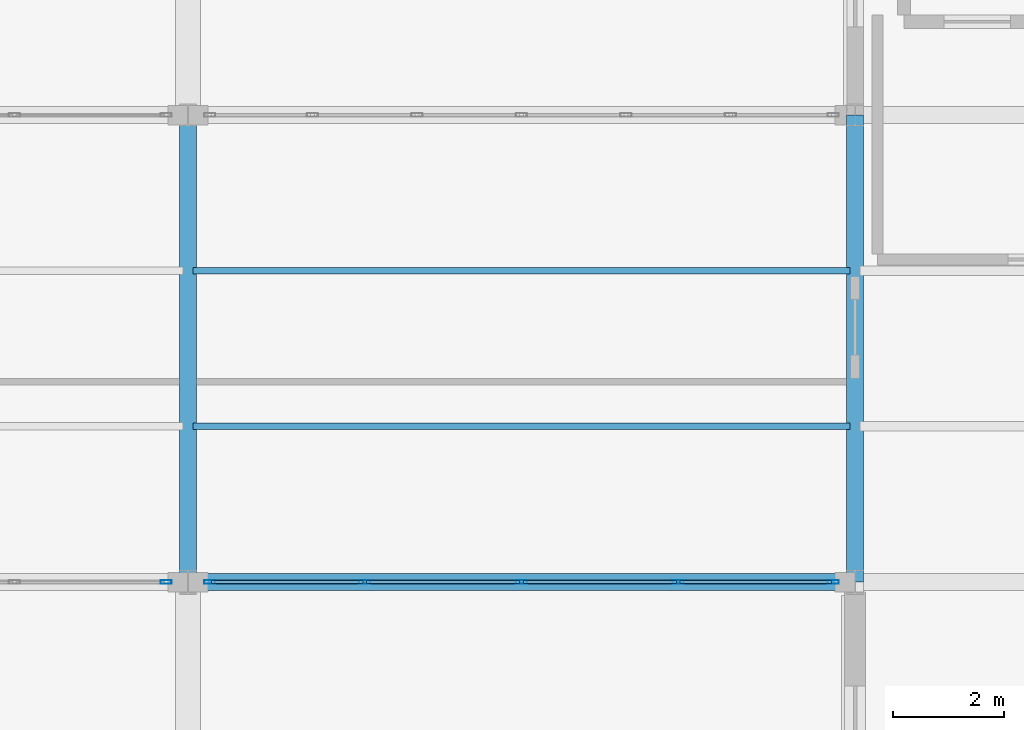
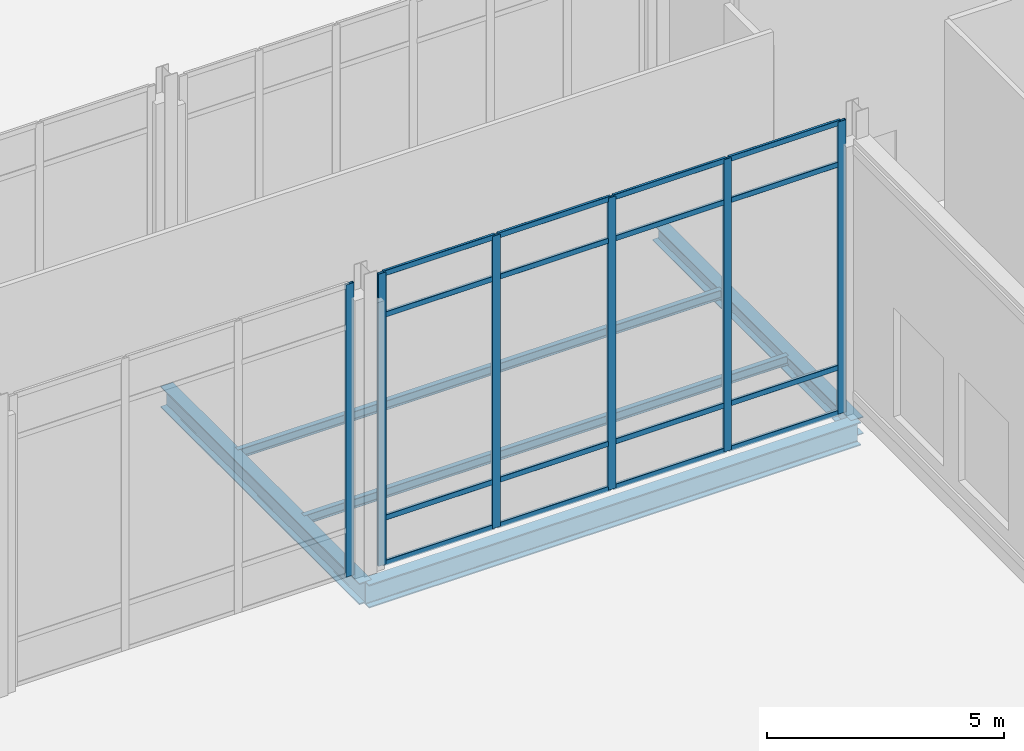
# One storey, part 108 of 176: 22 members, 5 beams, 2 elements without a shape of their own.
"""IFC4 building model written with IfcOpenShell, lengths in metres."""

from ifc_helpers import new_model, si_unit, direction, frame, origin, origin_2d, place, context, subcontext, project, spatial, hollow_rectangle, i_section, extrude, material, layer, layer_set, material_profile, profile_set, type_object, element, aggregate, save


model = new_model("IFC4")

# Units and contexts
model_context = context("Model", 3, precision=1e-05, world=origin(), true_north=direction((0.0, 1.0)))
body_context = subcontext(model_context, "Body", "Model", "MODEL_VIEW")
ifc_project = project(units=[si_unit("LENGTHUNIT", "METRE"), si_unit("AREAUNIT", "SQUARE_METRE"), si_unit("VOLUMEUNIT", "CUBIC_METRE"), si_unit("PLANEANGLEUNIT", "RADIAN"), si_unit("MASSUNIT", "GRAM", prefix="KILO")], contexts=[model_context])

# Site, building, storey
site_placement = place(None, origin())
site = spatial("IfcSite", under=ifc_project, at=site_placement, CompositionType="ELEMENT")
building_placement = place(site_placement, origin())
building = spatial("IfcBuilding", under=site, at=building_placement, Name="Vekula Escarpment Museum", CompositionType="ELEMENT")
storey_placement = place(building_placement, origin())
storey = spatial("IfcBuildingStorey", under=building, at=storey_placement, Name="L01", CompositionType="ELEMENT", Elevation=0.0)

# Beams
ifc_material_1 = material(Name="Steel S355", Category="steel")
ifc_material_profile_1 = material_profile(ifc_material_1, i_section(OverallWidth=0.300048828125, OverallDepth=0.550048828125, WebThickness=0.014892578125, FlangeThickness=0.029052734375, FilletRadius=0.027099609375, at=origin_2d()), Name="HEB 550")
ifc_profile_set_1 = profile_set([ifc_material_profile_1], Name="Steel S355")
beam_type_1 = type_object("IfcBeamType", Name="BM-GIRD-HEB550", PredefinedType="BEAM", material=ifc_profile_set_1)
beam_1_placement = place(storey_placement, frame((155.0, 68.0, -0.574951171875), z_axis=(0.0, 1.0, 0.0), x_axis=(-1.0, 0.0, 0.0)))
element("IfcBeam", 1, at=beam_1_placement, inside=storey, type_object=beam_type_1, Name="Beam Y L01 0715", PredefinedType="BEAM", context=body_context, shape_type="SweptSolid", body=[
    extrude(i_section(OverallWidth=0.300048828125, OverallDepth=0.550048828125, WebThickness=0.014892578125, FlangeThickness=0.029052734375, FilletRadius=0.027099609375, at=origin_2d()), origin(), (0.0, 0.0, 1.0), 8.39990234375),
])
ifc_material_2 = material(Name="Steel S355", Category="steel")
ifc_material_profile_2 = material_profile(ifc_material_2, i_section(OverallWidth=0.300048828125, OverallDepth=0.60009765625, WebThickness=0.015380859375, FlangeThickness=0.030029296875, FilletRadius=0.027099609375, at=origin_2d()), Name="HEB 600")
ifc_profile_set_2 = profile_set([ifc_material_profile_2], Name="Steel S355")
beam_type_2 = type_object("IfcBeamType", Name="BM-GIRD-HEB600", PredefinedType="BEAM", material=ifc_profile_set_2)
beam_2_placement = place(storey_placement, frame((155.0, 68.0, -0.60009765625), z_axis=(1.0, 0.0, 0.0), x_axis=(0.0, 1.0, 0.0)))
element("IfcBeam", 2, at=beam_2_placement, inside=storey, type_object=beam_type_2, Name="Beam X L01 0202", PredefinedType="BEAM", context=body_context, shape_type="SweptSolid", body=[
    extrude(i_section(OverallWidth=0.300048828125, OverallDepth=0.60009765625, WebThickness=0.015380859375, FlangeThickness=0.030029296875, FilletRadius=0.027099609375, at=origin_2d()), origin(), (0.0, 0.0, 1.0), 12.0),
])
ifc_material_3 = material(Name="Steel S355", Category="steel")
ifc_material_profile_3 = material_profile(ifc_material_3, i_section(OverallWidth=0.1201171875, OverallDepth=0.239990234375, WebThickness=0.006103515625, FlangeThickness=0.009765625, FilletRadius=0.014892578125, at=origin_2d()), Name="IPE 240")
ifc_profile_set_3 = profile_set([ifc_material_profile_3], Name="Steel S355")
beam_type_3 = type_object("IfcBeamType", Name="BM-JST-IPE240", PredefinedType="JOIST", material=ifc_profile_set_3)
for number, where, z_axis, x_axis, name in (
    (3, (155.090087890625, 70.800048828125, -0.419921875), (1.0, 0.0, 0.0), (0.0, 1.0, 0.0), "Secondary Joist L01 0523"),
    (4, (155.090087890625, 73.60009765625, -0.419921875), (1.0, 0.0, 0.0), (0.0, 1.0, 0.0), "Secondary Joist L01 0524"),
):
    element("IfcBeam", number, at=place(storey_placement, frame(where, z_axis=z_axis, x_axis=x_axis)), inside=storey, type_object=beam_type_3, Name=name, PredefinedType="JOIST", context=body_context, shape_type="SweptSolid", body=[
        extrude(i_section(OverallWidth=0.1201171875, OverallDepth=0.239990234375, WebThickness=0.006103515625, FlangeThickness=0.009765625, FilletRadius=0.014892578125, at=origin_2d()), origin(), (0.0, 0.0, 1.0), 11.81982421875),
    ])
ifc_material_4 = material(Name="Steel S355", Category="steel")
ifc_material_profile_4 = material_profile(ifc_material_4, i_section(OverallWidth=0.300048828125, OverallDepth=0.43994140625, WebThickness=0.011474609375, FlangeThickness=0.02099609375, FilletRadius=0.027099609375, at=origin_2d()), Name="HEA 450")
ifc_profile_set_4 = profile_set([ifc_material_profile_4], Name="Steel S355")
beam_type_4 = type_object("IfcBeamType", Name="BM-SPAN-HEA450", PredefinedType="SPANDREL", material=ifc_profile_set_4)
beam_3_placement = place(storey_placement, frame((167.0, 68.0, -0.52001953125), z_axis=(0.0, 1.0, 0.0), x_axis=(-1.0, 0.0, 0.0)))
element("IfcBeam", 5, at=beam_3_placement, inside=storey, type_object=beam_type_4, Name="Beam Y L01 0734", PredefinedType="SPANDREL", context=body_context, shape_type="SweptSolid", body=[
    extrude(i_section(OverallWidth=0.300048828125, OverallDepth=0.43994140625, WebThickness=0.011474609375, FlangeThickness=0.02099609375, FilletRadius=0.027099609375, at=origin_2d()), origin(), (0.0, 0.0, 1.0), 8.39990234375),
])

# Curtain wall, member
ifc_material_5 = material(Name="Aluminium thermally broken framing", Category="aluminium")
ifc_layer_1 = layer(ifc_material_5, 0.199951171875)
ifc_layer_set_1 = layer_set([ifc_layer_1], Name="Aluminium thermally broken framing")
curtain_wall_type_1 = type_object("IfcCurtainWallType", Name="CW-SYS-04", PredefinedType="NOTDEFINED", material=ifc_layer_set_1)
curtain_wall_1_placement = place(storey_placement, origin())
curtain_wall_1 = element("IfcCurtainWall", 6, at=curtain_wall_1_placement, inside=storey, type_object=curtain_wall_type_1, Name="Curtain Wall CW-L01-014", PredefinedType="NOTDEFINED")
ifc_material_6 = material(Name="Aluminium anodized mullion", Category="aluminium")
ifc_material_profile_5 = material_profile(ifc_material_6, hollow_rectangle(XDim=0.06494140625, YDim=0.199951171875, WallThickness=0.00390625, InnerFilletRadius=0.00390625, OuterFilletRadius=0.008056640625, at=origin_2d()), Name="ALU 200x65x4")
ifc_profile_set_5 = profile_set([ifc_material_profile_5], Name="Aluminium anodized mullion")
member_type_1 = type_object("IfcMemberType", Name="CW-MUL-200", PredefinedType="MULLION", material=ifc_profile_set_5)
member_1_placement = place(storey_placement, frame((154.607421875, 68.0, 0.0), z_axis=(0.0, 0.0, 1.0), x_axis=(0.0, 1.0, 0.0)))
member_1 = element("IfcMember", 7, at=member_1_placement, type_object=member_type_1, Name="CW-04 mullion 4", PredefinedType="MULLION", context=body_context, shape_type="SweptSolid", body=[
    extrude(hollow_rectangle(XDim=0.06494140625, YDim=0.199951171875, WallThickness=0.00390625, InnerFilletRadius=0.00390625, OuterFilletRadius=0.008056640625, at=origin_2d()), origin(), (0.0, 0.0, 1.0), 7.5400390625),
])
aggregate(curtain_wall_1, [member_1])

# Curtain wall, members
ifc_material_7 = material(Name="Aluminium thermally broken framing", Category="aluminium")
ifc_layer_2 = layer(ifc_material_7, 0.159912109375)
ifc_layer_set_2 = layer_set([ifc_layer_2], Name="Aluminium thermally broken framing")
curtain_wall_type_2 = type_object("IfcCurtainWallType", Name="CW-SYS-05", PredefinedType="NOTDEFINED", material=ifc_layer_set_2)
curtain_wall_2_placement = place(storey_placement, origin())
curtain_wall_2 = element("IfcCurtainWall", 8, at=curtain_wall_2_placement, inside=storey, type_object=curtain_wall_type_2, Name="Curtain Wall CW-L01-015", PredefinedType="NOTDEFINED")
member_2_placement = place(storey_placement, frame((155.392578125, 68.0, 0.0), z_axis=(0.0, 0.0, 1.0), x_axis=(0.0, 1.0, 0.0)))
member_2 = element("IfcMember", 9, at=member_2_placement, type_object=member_type_1, Name="CW-05 mullion 1", PredefinedType="MULLION", context=body_context, shape_type="SweptSolid", body=[
    extrude(hollow_rectangle(XDim=0.06494140625, YDim=0.199951171875, WallThickness=0.00390625, InnerFilletRadius=0.00390625, OuterFilletRadius=0.008056640625, at=origin_2d()), origin(), (0.0, 0.0, 1.0), 7.5400390625),
])
member_3_placement = place(storey_placement, frame((158.179931640625, 68.0, 0.0), z_axis=(0.0, 0.0, 1.0), x_axis=(0.0, 1.0, 0.0)))
member_3 = element("IfcMember", 10, at=member_3_placement, type_object=member_type_1, Name="CW-05 mullion 2", PredefinedType="MULLION", context=body_context, shape_type="SweptSolid", body=[
    extrude(hollow_rectangle(XDim=0.06494140625, YDim=0.199951171875, WallThickness=0.00390625, InnerFilletRadius=0.00390625, OuterFilletRadius=0.008056640625, at=origin_2d()), origin(), (0.0, 0.0, 1.0), 7.5400390625),
])
member_4_placement = place(storey_placement, frame((161.0, 68.0, 0.0), z_axis=(0.0, 0.0, 1.0), x_axis=(0.0, 1.0, 0.0)))
member_4 = element("IfcMember", 11, at=member_4_placement, type_object=member_type_1, Name="CW-05 mullion 3", PredefinedType="MULLION", context=body_context, shape_type="SweptSolid", body=[
    extrude(hollow_rectangle(XDim=0.06494140625, YDim=0.199951171875, WallThickness=0.00390625, InnerFilletRadius=0.00390625, OuterFilletRadius=0.008056640625, at=origin_2d()), origin(), (0.0, 0.0, 1.0), 7.5400390625),
])
member_5_placement = place(storey_placement, frame((163.820068359375, 68.0, 0.0), z_axis=(0.0, 0.0, 1.0), x_axis=(0.0, 1.0, 0.0)))
member_5 = element("IfcMember", 12, at=member_5_placement, type_object=member_type_1, Name="CW-05 mullion 4", PredefinedType="MULLION", context=body_context, shape_type="SweptSolid", body=[
    extrude(hollow_rectangle(XDim=0.06494140625, YDim=0.199951171875, WallThickness=0.00390625, InnerFilletRadius=0.00390625, OuterFilletRadius=0.008056640625, at=origin_2d()), origin(), (0.0, 0.0, 1.0), 7.5400390625),
])
member_6_placement = place(storey_placement, frame((166.607421875, 68.0, 0.0), z_axis=(0.0, 0.0, 1.0), x_axis=(0.0, 1.0, 0.0)))
member_6 = element("IfcMember", 13, at=member_6_placement, type_object=member_type_1, Name="CW-05 mullion 5", PredefinedType="MULLION", context=body_context, shape_type="SweptSolid", body=[
    extrude(hollow_rectangle(XDim=0.06494140625, YDim=0.199951171875, WallThickness=0.00390625, InnerFilletRadius=0.00390625, OuterFilletRadius=0.008056640625, at=origin_2d()), origin(), (0.0, 0.0, 1.0), 7.5400390625),
])
ifc_material_8 = material(Name="Aluminium anodized transom", Category="aluminium")
ifc_material_profile_6 = material_profile(ifc_material_8, hollow_rectangle(XDim=0.06494140625, YDim=0.139892578125, WallThickness=0.00390625, InnerFilletRadius=0.00390625, OuterFilletRadius=0.008056640625, at=origin_2d()), Name="ALU 140x65x4")
ifc_profile_set_6 = profile_set([ifc_material_profile_6], Name="Aluminium anodized transom")
member_type_2 = type_object("IfcMemberType", Name="CW-TRN-140", PredefinedType="USERDEFINED", material=ifc_profile_set_6)
member_7_placement = place(storey_placement, frame((155.425048828125, 68.0, 0.032470703125), z_axis=(1.0, 0.0, 0.0), x_axis=(0.0, 1.0, 0.0)))
member_7 = element("IfcMember", 14, at=member_7_placement, type_object=member_type_2, Name="CW-05 transom 1.1", ObjectType="TRANSOM", PredefinedType="USERDEFINED", context=body_context, shape_type="SweptSolid", body=[
    extrude(hollow_rectangle(XDim=0.06494140625, YDim=0.139892578125, WallThickness=0.00390625, InnerFilletRadius=0.00390625, OuterFilletRadius=0.008056640625, at=origin_2d()), origin(), (0.0, 0.0, 1.0), 2.722412109375),
])
member_8_placement = place(storey_placement, frame((155.425048828125, 68.0, 1.199951171875), z_axis=(1.0, 0.0, 0.0), x_axis=(0.0, 1.0, 0.0)))
member_8 = element("IfcMember", 15, at=member_8_placement, type_object=member_type_2, Name="CW-05 transom 1.2", ObjectType="TRANSOM", PredefinedType="USERDEFINED", context=body_context, shape_type="SweptSolid", body=[
    extrude(hollow_rectangle(XDim=0.06494140625, YDim=0.139892578125, WallThickness=0.00390625, InnerFilletRadius=0.00390625, OuterFilletRadius=0.008056640625, at=origin_2d()), origin(), (0.0, 0.0, 1.0), 2.722412109375),
])
member_9_placement = place(storey_placement, frame((155.425048828125, 68.0, 6.43994140625), z_axis=(1.0, 0.0, 0.0), x_axis=(0.0, 1.0, 0.0)))
member_9 = element("IfcMember", 16, at=member_9_placement, type_object=member_type_2, Name="CW-05 transom 1.3", ObjectType="TRANSOM", PredefinedType="USERDEFINED", context=body_context, shape_type="SweptSolid", body=[
    extrude(hollow_rectangle(XDim=0.06494140625, YDim=0.139892578125, WallThickness=0.00390625, InnerFilletRadius=0.00390625, OuterFilletRadius=0.008056640625, at=origin_2d()), origin(), (0.0, 0.0, 1.0), 2.722412109375),
])
member_10_placement = place(storey_placement, frame((155.425048828125, 68.0, 7.507568359375), z_axis=(1.0, 0.0, 0.0), x_axis=(0.0, 1.0, 0.0)))
member_10 = element("IfcMember", 17, at=member_10_placement, type_object=member_type_2, Name="CW-05 transom 1.4", ObjectType="TRANSOM", PredefinedType="USERDEFINED", context=body_context, shape_type="SweptSolid", body=[
    extrude(hollow_rectangle(XDim=0.06494140625, YDim=0.139892578125, WallThickness=0.00390625, InnerFilletRadius=0.00390625, OuterFilletRadius=0.008056640625, at=origin_2d()), origin(), (0.0, 0.0, 1.0), 2.722412109375),
])
member_11_placement = place(storey_placement, frame((158.21240234375, 68.0, 0.032470703125), z_axis=(1.0, 0.0, 0.0), x_axis=(0.0, 1.0, 0.0)))
member_11 = element("IfcMember", 18, at=member_11_placement, type_object=member_type_2, Name="CW-05 transom 2.1", ObjectType="TRANSOM", PredefinedType="USERDEFINED", context=body_context, shape_type="SweptSolid", body=[
    extrude(hollow_rectangle(XDim=0.06494140625, YDim=0.139892578125, WallThickness=0.00390625, InnerFilletRadius=0.00390625, OuterFilletRadius=0.008056640625, at=origin_2d()), origin(), (0.0, 0.0, 1.0), 2.755126953125),
])
member_12_placement = place(storey_placement, frame((158.21240234375, 68.0, 1.199951171875), z_axis=(1.0, 0.0, 0.0), x_axis=(0.0, 1.0, 0.0)))
member_12 = element("IfcMember", 19, at=member_12_placement, type_object=member_type_2, Name="CW-05 transom 2.2", ObjectType="TRANSOM", PredefinedType="USERDEFINED", context=body_context, shape_type="SweptSolid", body=[
    extrude(hollow_rectangle(XDim=0.06494140625, YDim=0.139892578125, WallThickness=0.00390625, InnerFilletRadius=0.00390625, OuterFilletRadius=0.008056640625, at=origin_2d()), origin(), (0.0, 0.0, 1.0), 2.755126953125),
])
member_13_placement = place(storey_placement, frame((158.21240234375, 68.0, 6.43994140625), z_axis=(1.0, 0.0, 0.0), x_axis=(0.0, 1.0, 0.0)))
member_13 = element("IfcMember", 20, at=member_13_placement, type_object=member_type_2, Name="CW-05 transom 2.3", ObjectType="TRANSOM", PredefinedType="USERDEFINED", context=body_context, shape_type="SweptSolid", body=[
    extrude(hollow_rectangle(XDim=0.06494140625, YDim=0.139892578125, WallThickness=0.00390625, InnerFilletRadius=0.00390625, OuterFilletRadius=0.008056640625, at=origin_2d()), origin(), (0.0, 0.0, 1.0), 2.755126953125),
])
member_14_placement = place(storey_placement, frame((158.21240234375, 68.0, 7.507568359375), z_axis=(1.0, 0.0, 0.0), x_axis=(0.0, 1.0, 0.0)))
member_14 = element("IfcMember", 21, at=member_14_placement, type_object=member_type_2, Name="CW-05 transom 2.4", ObjectType="TRANSOM", PredefinedType="USERDEFINED", context=body_context, shape_type="SweptSolid", body=[
    extrude(hollow_rectangle(XDim=0.06494140625, YDim=0.139892578125, WallThickness=0.00390625, InnerFilletRadius=0.00390625, OuterFilletRadius=0.008056640625, at=origin_2d()), origin(), (0.0, 0.0, 1.0), 2.755126953125),
])
member_15_placement = place(storey_placement, frame((161.032470703125, 68.0, 0.032470703125), z_axis=(1.0, 0.0, 0.0), x_axis=(0.0, 1.0, 0.0)))
member_15 = element("IfcMember", 22, at=member_15_placement, type_object=member_type_2, Name="CW-05 transom 3.1", ObjectType="TRANSOM", PredefinedType="USERDEFINED", context=body_context, shape_type="SweptSolid", body=[
    extrude(hollow_rectangle(XDim=0.06494140625, YDim=0.139892578125, WallThickness=0.00390625, InnerFilletRadius=0.00390625, OuterFilletRadius=0.008056640625, at=origin_2d()), origin(), (0.0, 0.0, 1.0), 2.755126953125),
])
member_16_placement = place(storey_placement, frame((161.032470703125, 68.0, 1.199951171875), z_axis=(1.0, 0.0, 0.0), x_axis=(0.0, 1.0, 0.0)))
member_16 = element("IfcMember", 23, at=member_16_placement, type_object=member_type_2, Name="CW-05 transom 3.2", ObjectType="TRANSOM", PredefinedType="USERDEFINED", context=body_context, shape_type="SweptSolid", body=[
    extrude(hollow_rectangle(XDim=0.06494140625, YDim=0.139892578125, WallThickness=0.00390625, InnerFilletRadius=0.00390625, OuterFilletRadius=0.008056640625, at=origin_2d()), origin(), (0.0, 0.0, 1.0), 2.755126953125),
])
member_17_placement = place(storey_placement, frame((161.032470703125, 68.0, 6.43994140625), z_axis=(1.0, 0.0, 0.0), x_axis=(0.0, 1.0, 0.0)))
member_17 = element("IfcMember", 24, at=member_17_placement, type_object=member_type_2, Name="CW-05 transom 3.3", ObjectType="TRANSOM", PredefinedType="USERDEFINED", context=body_context, shape_type="SweptSolid", body=[
    extrude(hollow_rectangle(XDim=0.06494140625, YDim=0.139892578125, WallThickness=0.00390625, InnerFilletRadius=0.00390625, OuterFilletRadius=0.008056640625, at=origin_2d()), origin(), (0.0, 0.0, 1.0), 2.755126953125),
])
member_18_placement = place(storey_placement, frame((161.032470703125, 68.0, 7.507568359375), z_axis=(1.0, 0.0, 0.0), x_axis=(0.0, 1.0, 0.0)))
member_18 = element("IfcMember", 25, at=member_18_placement, type_object=member_type_2, Name="CW-05 transom 3.4", ObjectType="TRANSOM", PredefinedType="USERDEFINED", context=body_context, shape_type="SweptSolid", body=[
    extrude(hollow_rectangle(XDim=0.06494140625, YDim=0.139892578125, WallThickness=0.00390625, InnerFilletRadius=0.00390625, OuterFilletRadius=0.008056640625, at=origin_2d()), origin(), (0.0, 0.0, 1.0), 2.755126953125),
])
member_19_placement = place(storey_placement, frame((163.8525390625, 68.0, 0.032470703125), z_axis=(1.0, 0.0, 0.0), x_axis=(0.0, 1.0, 0.0)))
member_19 = element("IfcMember", 26, at=member_19_placement, type_object=member_type_2, Name="CW-05 transom 4.1", ObjectType="TRANSOM", PredefinedType="USERDEFINED", context=body_context, shape_type="SweptSolid", body=[
    extrude(hollow_rectangle(XDim=0.06494140625, YDim=0.139892578125, WallThickness=0.00390625, InnerFilletRadius=0.00390625, OuterFilletRadius=0.008056640625, at=origin_2d()), origin(), (0.0, 0.0, 1.0), 2.722412109375),
])
member_20_placement = place(storey_placement, frame((163.8525390625, 68.0, 1.199951171875), z_axis=(1.0, 0.0, 0.0), x_axis=(0.0, 1.0, 0.0)))
member_20 = element("IfcMember", 27, at=member_20_placement, type_object=member_type_2, Name="CW-05 transom 4.2", ObjectType="TRANSOM", PredefinedType="USERDEFINED", context=body_context, shape_type="SweptSolid", body=[
    extrude(hollow_rectangle(XDim=0.06494140625, YDim=0.139892578125, WallThickness=0.00390625, InnerFilletRadius=0.00390625, OuterFilletRadius=0.008056640625, at=origin_2d()), origin(), (0.0, 0.0, 1.0), 2.722412109375),
])
member_21_placement = place(storey_placement, frame((163.8525390625, 68.0, 6.43994140625), z_axis=(1.0, 0.0, 0.0), x_axis=(0.0, 1.0, 0.0)))
member_21 = element("IfcMember", 28, at=member_21_placement, type_object=member_type_2, Name="CW-05 transom 4.3", ObjectType="TRANSOM", PredefinedType="USERDEFINED", context=body_context, shape_type="SweptSolid", body=[
    extrude(hollow_rectangle(XDim=0.06494140625, YDim=0.139892578125, WallThickness=0.00390625, InnerFilletRadius=0.00390625, OuterFilletRadius=0.008056640625, at=origin_2d()), origin(), (0.0, 0.0, 1.0), 2.722412109375),
])
member_22_placement = place(storey_placement, frame((163.8525390625, 68.0, 7.507568359375), z_axis=(1.0, 0.0, 0.0), x_axis=(0.0, 1.0, 0.0)))
member_22 = element("IfcMember", 29, at=member_22_placement, type_object=member_type_2, Name="CW-05 transom 4.4", ObjectType="TRANSOM", PredefinedType="USERDEFINED", context=body_context, shape_type="SweptSolid", body=[
    extrude(hollow_rectangle(XDim=0.06494140625, YDim=0.139892578125, WallThickness=0.00390625, InnerFilletRadius=0.00390625, OuterFilletRadius=0.008056640625, at=origin_2d()), origin(), (0.0, 0.0, 1.0), 2.722412109375),
])
aggregate(curtain_wall_2, [member_2, member_3, member_4, member_5, member_6, member_7, member_8, member_9, member_10, member_11, member_12, member_13, member_14, member_15, member_16, member_17, member_18, member_19, member_20, member_21, member_22])

save(model, "model.ifc")
